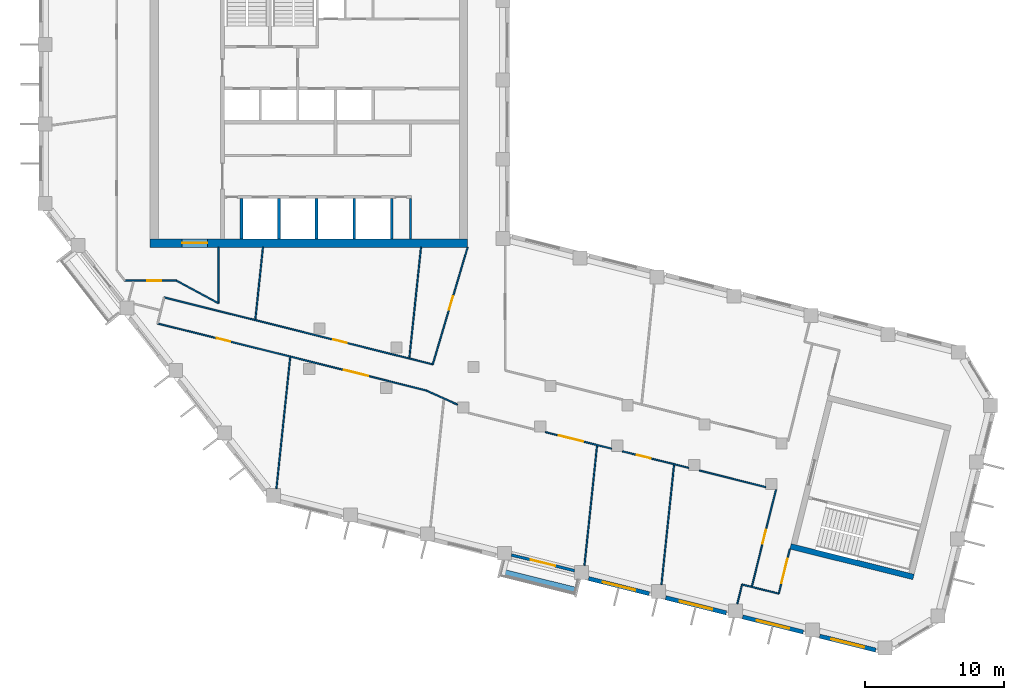
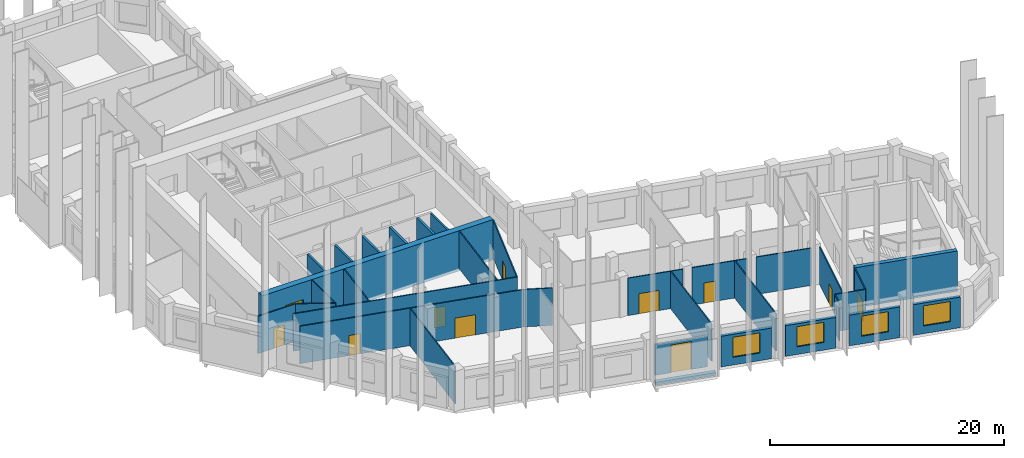
# One storey, part 3 of 9: 34 walls, 11 doors, 4 windows, 15 openings.
"""IFC4 building model written with IfcOpenShell, lengths in metres."""

import ifcopenshell
import ifcopenshell.guid

model = None  # the IFC model being written
_history = None  # IfcOwnerHistory: only IFC2X3 demands one
_inside = {}  # id of a spatial element -> (the spatial element, [elements in it])
_under = {}  # id of a project, library or spatial element -> (it, [spatial elements below it])
_declared = {}  # id of a project -> (the project, [libraries it declares])
_typed = {}  # id of a type object -> (the type object, [elements of that type])
_made_of = {}  # id of a material, layer set ... -> (it, [elements and type objects made of it])


def new_model(schema):
    """Start an empty IFC model of exactly this schema.

    Asked for "IFC4X3", IfcOpenShell would pick the latest addendum, in which some entities
    have other attributes; the version numbers below select the first issue.
    IFC2X3 requires an IfcOwnerHistory on every rooted entity: one is made here for all.
    """
    global model, _history
    if schema == "IFC4X3":
        model = ifcopenshell.file(schema_version=(4, 3, 0, 0))
    else:
        model = ifcopenshell.file(schema=schema)
    _inside.clear()
    _under.clear()
    _declared.clear()
    _typed.clear()
    _made_of.clear()
    _history = None
    if model.schema == "IFC2X3":
        org = make("IfcOrganization", Name="unknown")
        user = make(
            "IfcPersonAndOrganization",
            ThePerson=make("IfcPerson", FamilyName="unknown"),
            TheOrganization=org,
        )
        app = make(
            "IfcApplication",
            ApplicationDeveloper=org,
            Version="unknown",
            ApplicationFullName="unknown",
            ApplicationIdentifier="unknown",
        )
        _history = make(
            "IfcOwnerHistory",
            OwningUser=user,
            OwningApplication=app,
            ChangeAction="ADDED",
            CreationDate=0,
        )
    return model


def make(cls, **values):
    """One entity of the class cls with the attributes given. An attribute that is None is left unset."""
    return model.create_entity(
        cls, **{name: value for name, value in values.items() if value is not None}
    )


def rooted(cls, **values):
    """An entity with a GlobalId (a new one), such as an element, a storey or a relation."""
    return make(cls, GlobalId=ifcopenshell.guid.new(), OwnerHistory=_history, **values)


def si_unit(unit_type, name, prefix=None):
    """IfcSIUnit, for example si_unit("LENGTHUNIT", "METRE", prefix="MILLI")."""
    return make("IfcSIUnit", UnitType=unit_type, Prefix=prefix, Name=name)


def assignment(units):
    """IfcUnitAssignment: the units of a project."""
    return None if units is None else make("IfcUnitAssignment", Units=units)


def point(xyz):
    """IfcCartesianPoint."""
    return None if xyz is None else make("IfcCartesianPoint", Coordinates=xyz)


def direction(xyz):
    """IfcDirection."""
    return None if xyz is None else make("IfcDirection", DirectionRatios=xyz)


def frame(location, z_axis=None, x_axis=None):
    """IfcAxis2Placement3D, a coordinate frame: its origin and axes. An axis left out is left unset."""
    return make(
        "IfcAxis2Placement3D",
        Location=point(location),
        Axis=direction(z_axis),
        RefDirection=direction(x_axis),
    )


def frame_2d(location, x_axis=None):
    """IfcAxis2Placement2D, a coordinate frame in the plane: its origin and x axis."""
    return make(
        "IfcAxis2Placement2D", Location=point(location), RefDirection=direction(x_axis)
    )


def origin():
    """The frame at (0, 0, 0) with its axes left unset."""
    return frame((0.0, 0.0, 0.0))


def place(relative_to, where):
    """IfcLocalPlacement: puts the frame where relative to a parent placement (None: the world)."""
    return make(
        "IfcLocalPlacement", PlacementRelTo=relative_to, RelativePlacement=where
    )


def context(
    kind, dimensions, precision=None, world=None, true_north=None, identifier=None
):
    """IfcGeometricRepresentationContext, for example the 3D "Model" context."""
    return make(
        "IfcGeometricRepresentationContext",
        ContextIdentifier=identifier,
        ContextType=kind,
        CoordinateSpaceDimension=dimensions,
        Precision=precision,
        WorldCoordinateSystem=world,
        TrueNorth=true_north,
    )


def subcontext(parent, identifier, kind, view, scale=None):
    """IfcGeometricRepresentationSubContext, for example "Body" below "Model"."""
    return make(
        "IfcGeometricRepresentationSubContext",
        ContextIdentifier=identifier,
        ContextType=kind,
        ParentContext=parent,
        TargetScale=scale,
        TargetView=view,
    )


def project(units=None, contexts=None):
    """IfcProject with its units and contexts."""
    return rooted(
        "IfcProject",
        Name="project",
        RepresentationContexts=contexts,
        UnitsInContext=assignment(units),
    )


def spatial(cls, under=None, at=None, **own):
    """A site, building, storey or space (cls), placed at a placement, below another one or the project."""
    s = rooted(cls, ObjectPlacement=at, **own)
    if under is not None:
        _under.setdefault(under.id(), (under, []))[1].append(s)
    return s


def profile(cls, at=None, kind="AREA", **sizes):
    """A parametric profile (cls). Its sizes go by their IFC names, for example OverallWidth=200.0."""
    return make(cls, ProfileType=kind, Position=at, **sizes)


def rectangle(**sizes):
    """IfcRectangleProfileDef."""
    return profile("IfcRectangleProfileDef", **sizes)


def extrude(swept, where, along, depth):
    """IfcExtrudedAreaSolid: the profile swept, set in the frame where, extruded along a direction by depth."""
    return make(
        "IfcExtrudedAreaSolid",
        SweptArea=swept,
        Position=where,
        ExtrudedDirection=direction(along),
        Depth=depth,
    )


def shape(context_of_items, identifier, shape_type, items):
    """IfcShapeRepresentation: the items that make up one representation, for example the "Body"."""
    return make(
        "IfcShapeRepresentation",
        ContextOfItems=context_of_items,
        RepresentationIdentifier=identifier,
        RepresentationType=shape_type,
        Items=items,
    )


def material(Name=None, Category=None):
    """IfcMaterial."""
    return make("IfcMaterial", Name=Name, Category=Category)


def layer(
    of_material, thickness, ventilated=None, Name=None, Category=None, Priority=None
):
    """IfcMaterialLayer: one layer of a wall or slab, of a material (None: an air gap)."""
    return make(
        "IfcMaterialLayer",
        Material=of_material,
        LayerThickness=thickness,
        IsVentilated=ventilated,
        Name=Name,
        Category=Category,
        Priority=Priority,
    )


def layer_set(layers, Name=None):
    """IfcMaterialLayerSet."""
    return make("IfcMaterialLayerSet", MaterialLayers=layers, LayerSetName=Name)


def made_of(thing, what):
    """Note that an element or type object is made of a material, layer set ...; save() writes the relation."""
    if what is not None:
        _made_of.setdefault(what.id(), (what, []))[1].append(thing)
    return thing


def type_object(cls, material=None, **own):
    """A type object (cls), such as IfcWallType, which elements share."""
    return made_of(rooted(cls, **own), material)


def element(
    cls,
    number,
    at=None,
    inside=None,
    cuts=None,
    type_object=None,
    material=None,
    context=None,
    identifier="Body",
    shape_type=None,
    held_by="IfcProductDefinitionShape",
    body=None,
    shapes=None,
    **own,
):
    """One element of the class cls, such as IfcWall. Its Tag is "e" and its number.

    at: its placement. inside: the storey or other place that contains it. cuts: it is an
    opening in that element (IfcRelVoidsElement). A single representation is given by context,
    identifier, shape_type and body (its items); several are given by shapes. held_by: the class
    of the entity that holds the representations. save() writes the other relations.
    """
    e = rooted(cls, Tag="e%d" % number, ObjectPlacement=at, **own)
    if body is not None:
        shapes = [shape(context, identifier, shape_type, body)]
    if shapes is not None:
        e.Representation = make(held_by, Representations=shapes)
    if inside is not None:
        _inside.setdefault(inside.id(), (inside, []))[1].append(e)
    if cuts is not None:
        rooted(
            "IfcRelVoidsElement", RelatingBuildingElement=cuts, RelatedOpeningElement=e
        )
    if type_object is not None:
        _typed.setdefault(type_object.id(), (type_object, []))[1].append(e)
    return made_of(e, material)


def fill(opening, filler):
    """IfcRelFillsElement: the door or window that sits in an opening."""
    return rooted(
        "IfcRelFillsElement",
        RelatingOpeningElement=opening,
        RelatedBuildingElement=filler,
    )


def aggregate(whole, parts):
    """IfcRelAggregates: a whole, such as a stair, and the parts it consists of."""
    return rooted("IfcRelAggregates", RelatingObject=whole, RelatedObjects=parts)


def save(model, path):
    """Write the relations noted so far, then the file.

    IfcRelAggregates (storeys below a building ...), IfcRelContainedInSpatialStructure (elements
    in a storey), IfcRelDefinesByType, IfcRelAssociatesMaterial and IfcRelDeclares: one each for
    every whole, place, type object, material and project.
    """
    for whole, parts in _under.values():
        aggregate(whole, parts)
    for where, things in _inside.values():
        rooted(
            "IfcRelContainedInSpatialStructure",
            RelatedElements=things,
            RelatingStructure=where,
        )
    for kind, things in _typed.values():
        rooted("IfcRelDefinesByType", RelatedObjects=things, RelatingType=kind)
    for what, things in _made_of.values():
        rooted("IfcRelAssociatesMaterial", RelatedObjects=things, RelatingMaterial=what)
    for by, libraries in _declared.values():
        rooted("IfcRelDeclares", RelatingContext=by, RelatedDefinitions=libraries)
    model.write(path)


model = new_model("IFC4")

# Units and contexts
model_context = context("Model", 3, precision=1e-05, world=origin(), true_north=direction((0.0, 1.0)))
body_context = subcontext(model_context, "Body", "Model", "MODEL_VIEW")
ifc_project = project(units=[si_unit("LENGTHUNIT", "METRE"), si_unit("AREAUNIT", "SQUARE_METRE"), si_unit("VOLUMEUNIT", "CUBIC_METRE"), si_unit("PLANEANGLEUNIT", "RADIAN"), si_unit("MASSUNIT", "GRAM", prefix="KILO")], contexts=[model_context])

# Site, building, storey
site_placement = place(None, origin())
site = spatial("IfcSite", under=ifc_project, at=site_placement, CompositionType="ELEMENT")
building_placement = place(site_placement, origin())
building = spatial("IfcBuilding", under=site, at=building_placement, Name="Meshkara Civic Tower", CompositionType="ELEMENT")
storey_placement = place(building_placement, frame((0.0, 0.0, 323.39990234375)))
storey = spatial("IfcBuildingStorey", under=building, at=storey_placement, Name="L74", CompositionType="ELEMENT", Elevation=323.39990234375)

# Wall
ifc_material_1 = material(Name="Blockwork", Category="masonry")
ifc_layer_1 = layer(ifc_material_1, 0.14990234375)
ifc_layer_set_1 = layer_set([ifc_layer_1], Name="Core partition 150")
wall_type_1 = type_object("IfcWallType", Name="Core partition 150", PredefinedType="PARTITIONING", material=ifc_layer_set_1)
wall_1_placement = place(storey_placement, frame((26.699951171875, 14.699951171875, 0.0), z_axis=(0.0, 0.0, 1.0), x_axis=(0.0, 1.0, 0.0)))
element("IfcWall", 1, at=wall_1_placement, inside=storey, type_object=wall_type_1, Name="L74-C025", PredefinedType="PARTITIONING", context=body_context, shape_type="SweptSolid", body=[
    extrude(rectangle(XDim=2.900146484375, YDim=0.14990234375, at=frame_2d((1.4501953125, 0.0))), origin(), (0.0, 0.0, 1.0), 3.900146484375),
])

# Wall, opening, door
ifc_material_2 = material(Name="Concrete C60", Category="concrete")
ifc_layer_2 = layer(ifc_material_2, 0.60009765625)
ifc_layer_set_2 = layer_set([ifc_layer_2], Name="Core ring wall 600 C60")
wall_type_2 = type_object("IfcWallType", Name="Core ring wall 600 C60", PredefinedType="SHEAR", material=ifc_layer_set_2)
wall_2_placement = place(storey_placement, frame((8.0, 14.39990234375, -0.2998046875), z_axis=(0.0, 0.0, 1.0), x_axis=(1.0, 0.0, 0.0)))
wall_2 = element("IfcWall", 2, at=wall_2_placement, inside=storey, type_object=wall_type_2, Name="L74-C001", PredefinedType="SHEAR", context=body_context, shape_type="SweptSolid", body=[
    extrude(rectangle(XDim=22.800048828125, YDim=0.60009765625, at=frame_2d((11.39990234375, 0.0))), origin(), (0.0, 0.0, 1.0), 4.199951171875),
])
opening_1_placement = place(wall_2_placement, frame((2.300048828125, 0.0, 0.300048828125)))
opening_1 = element("IfcOpeningElement", 3, at=opening_1_placement, cuts=wall_2, Name="Opening L74-K023", PredefinedType="OPENING", context=body_context, shape_type="SweptSolid", body=[
    extrude(rectangle(XDim=1.800048828125, YDim=2.10009765625, at=frame_2d((0.89990234375, 1.050048828125))), frame((0.0, 0.31005859375, 0.0), z_axis=(0.0, -1.0, 0.0), x_axis=(1.0, 0.0, 0.0)), (0.0, 0.0, 1.0), 0.6201171875),
])
ifc_material_3 = material(Name="Fire-rated door leaf in steel frame", Category="steel")
door_type_1 = type_object("IfcDoorType", Name="Core double door 1800 EI 60", OperationType="DOUBLE_DOOR_SINGLE_SWING", PredefinedType="DOOR", material=ifc_material_3)
door_1_placement = place(opening_1_placement, origin())
door_1 = element("IfcDoor", 4, at=door_1_placement, inside=storey, type_object=door_type_1, Name="L74-K023", OperationType="DOUBLE_DOOR_SINGLE_SWING", OverallHeight=2.10009765625, OverallWidth=1.800048828125, PredefinedType="DOOR", context=body_context, shape_type="SweptSolid", body=[
    extrude(rectangle(XDim=1.800048828125, YDim=2.10009765625, at=frame_2d((0.89990234375, 1.050048828125))), frame((0.0, 0.02490234375, 0.0), z_axis=(0.0, -1.0, 0.0), x_axis=(1.0, 0.0, 0.0)), (0.0, 0.0, 1.0), 0.050048828125),
])
fill(opening_1, door_1)

ifc_material_4 = material(Name="Corridor wall 100")
ifc_layer_3 = layer(ifc_material_4, 0.10009765625)
ifc_layer_set_3 = layer_set([ifc_layer_3], Name="Corridor wall 100")
wall_type_3 = type_object("IfcWallType", Name="Corridor wall 100", PredefinedType="PARTITIONING", material=ifc_layer_set_3)
wall_3_placement = place(storey_placement, frame((6.18603515625, 11.699951171875, 0.0), z_axis=(0.0, 0.0, 1.0), x_axis=(1.0, 0.0, 0.0)))
wall_3 = element("IfcWall", 5, at=wall_3_placement, inside=storey, type_object=wall_type_3, Name="L74-W006", PredefinedType="PARTITIONING", context=body_context, shape_type="SweptSolid", body=[
    extrude(rectangle(XDim=3.7138671875, YDim=0.10009765625, at=frame_2d((1.85693359375, 0.0))), origin(), (0.0, 0.0, 1.0), 3.900146484375),
])
opening_2_placement = place(wall_3_placement, frame((1.591064453125, 0.0, 0.0)))
opening_2 = element("IfcOpeningElement", 6, at=opening_2_placement, cuts=wall_3, Name="Opening L74-D008", PredefinedType="OPENING", context=body_context, shape_type="SweptSolid", body=[
    extrude(rectangle(XDim=1.0, YDim=2.10009765625, at=frame_2d((0.5, 1.050048828125))), frame((0.0, 0.06005859375, 0.0), z_axis=(0.0, -1.0, 0.0), x_axis=(1.0, 0.0, 0.0)), (0.0, 0.0, 1.0), 0.1201171875),
])
ifc_material_5 = material(Name="Door 1000 x 2100")
door_type_2 = type_object("IfcDoorType", Name="Door 1000 x 2100", OperationType="SINGLE_SWING_LEFT", PredefinedType="DOOR", material=ifc_material_5)
door_2_placement = place(opening_2_placement, origin())
door_2 = element("IfcDoor", 7, at=door_2_placement, inside=storey, type_object=door_type_2, Name="L74-D008", OperationType="SINGLE_SWING_RIGHT", OverallHeight=2.10009765625, OverallWidth=1.0, PredefinedType="DOOR", context=body_context, shape_type="SweptSolid", body=[
    extrude(rectangle(XDim=1.0, YDim=2.10009765625, at=frame_2d((0.5, 1.050048828125))), frame((0.0, 0.02490234375, 0.0), z_axis=(0.0, -1.0, 0.0), x_axis=(1.0, 0.0, 0.0)), (0.0, 0.0, 1.0), 0.050048828125),
])
fill(opening_2, door_2)

# Wall, openings, doors
wall_4_placement = place(storey_placement, frame((8.534912109375, 8.6259765625, 0.0), z_axis=(0.0, 0.0, 1.0), x_axis=(0.970298340477, -0.241911410372, 0.0)))
wall_4 = element("IfcWall", 8, at=wall_4_placement, inside=storey, type_object=wall_type_3, Name="L74-W007", PredefinedType="PARTITIONING", context=body_context, shape_type="SweptSolid", body=[
    extrude(rectangle(XDim=19.879638671875, YDim=0.10009765625, at=frame_2d((9.93994140625, 0.0))), origin(), (0.0, 0.0, 1.0), 3.900146484375),
])
opening_3_placement = place(wall_4_placement, frame((13.799072265625, 0.0, 0.0)))
opening_3 = element("IfcOpeningElement", 9, at=opening_3_placement, cuts=wall_4, Name="Opening L74-D004", PredefinedType="OPENING", context=body_context, shape_type="SweptSolid", body=[
    extrude(rectangle(XDim=1.800048828125, YDim=2.10009765625, at=frame_2d((0.89990234375, 1.050048828125))), frame((0.0, 0.06005859375, 0.0), z_axis=(0.0, -1.0, 0.0), x_axis=(1.0, 0.0, 0.0)), (0.0, 0.0, 1.0), 0.1201171875),
])
opening_4_placement = place(wall_4_placement, frame((4.3798828125, 0.0, 0.0)))
opening_4 = element("IfcOpeningElement", 10, at=opening_4_placement, cuts=wall_4, Name="Opening L74-D009", PredefinedType="OPENING", context=body_context, shape_type="SweptSolid", body=[
    extrude(rectangle(XDim=1.0, YDim=2.10009765625, at=frame_2d((0.5, 1.050048828125))), frame((0.0, 0.06005859375, 0.0), z_axis=(0.0, -1.0, 0.0), x_axis=(1.0, 0.0, 0.0)), (0.0, 0.0, 1.0), 0.1201171875),
])
door_3_placement = place(opening_4_placement, origin())
door_3 = element("IfcDoor", 11, at=door_3_placement, inside=storey, type_object=door_type_2, Name="L74-D009", OperationType="SINGLE_SWING_RIGHT", OverallHeight=2.10009765625, OverallWidth=1.0, PredefinedType="DOOR", context=body_context, shape_type="SweptSolid", body=[
    extrude(rectangle(XDim=1.0, YDim=2.10009765625, at=frame_2d((0.5, 1.050048828125))), frame((0.0, 0.02490234375, 0.0), z_axis=(0.0, -1.0, 0.0), x_axis=(1.0, 0.0, 0.0)), (0.0, 0.0, 1.0), 0.050048828125),
])
fill(opening_4, door_3)
ifc_material_6 = material(Name="Door pair 1800 x 2100")
door_type_3 = type_object("IfcDoorType", Name="Door pair 1800 x 2100", OperationType="SINGLE_SWING_LEFT", PredefinedType="DOOR", material=ifc_material_6)
door_4_placement = place(opening_3_placement, origin())
door_4 = element("IfcDoor", 12, at=door_4_placement, inside=storey, type_object=door_type_3, Name="L74-D004", OperationType="DOUBLE_DOOR_SINGLE_SWING", OverallHeight=2.10009765625, OverallWidth=1.800048828125, PredefinedType="DOOR", context=body_context, shape_type="SweptSolid", body=[
    extrude(rectangle(XDim=1.800048828125, YDim=2.10009765625, at=frame_2d((0.89990234375, 1.050048828125))), frame((0.0, 0.02490234375, 0.0), z_axis=(0.0, -1.0, 0.0), x_axis=(1.0, 0.0, 0.0)), (0.0, 0.0, 1.0), 0.050048828125),
])
fill(opening_3, door_4)

# Wall, opening, door
wall_5_placement = place(storey_placement, frame((9.001953125, 10.4990234375, 0.0), z_axis=(0.0, 0.0, 1.0), x_axis=(0.970298340477, -0.241911410372, 0.0)))
wall_5 = element("IfcWall", 13, at=wall_5_placement, inside=storey, type_object=wall_type_3, Name="L74-W008", PredefinedType="PARTITIONING", context=body_context, shape_type="SweptSolid", body=[
    extrude(rectangle(XDim=19.879638671875, YDim=0.10009765625, at=frame_2d((9.93994140625, 0.0))), origin(), (0.0, 0.0, 1.0), 3.900146484375),
])
opening_5_placement = place(wall_5_placement, frame((12.51806640625, 0.0, 0.0)))
opening_5 = element("IfcOpeningElement", 14, at=opening_5_placement, cuts=wall_5, Name="Opening L74-D010", PredefinedType="OPENING", context=body_context, shape_type="SweptSolid", body=[
    extrude(rectangle(XDim=1.0, YDim=2.10009765625, at=frame_2d((0.5, 1.050048828125))), frame((0.0, 0.06005859375, 0.0), z_axis=(0.0, -1.0, 0.0), x_axis=(1.0, 0.0, 0.0)), (0.0, 0.0, 1.0), 0.1201171875),
])
door_5_placement = place(opening_5_placement, origin())
door_5 = element("IfcDoor", 15, at=door_5_placement, inside=storey, type_object=door_type_2, Name="L74-D010", OperationType="SINGLE_SWING_RIGHT", OverallHeight=2.10009765625, OverallWidth=1.0, PredefinedType="DOOR", context=body_context, shape_type="SweptSolid", body=[
    extrude(rectangle(XDim=1.0, YDim=2.10009765625, at=frame_2d((0.5, 1.050048828125))), frame((0.0, 0.02490234375, 0.0), z_axis=(0.0, -1.0, 0.0), x_axis=(1.0, 0.0, 0.0)), (0.0, 0.0, 1.0), 0.050048828125),
])
fill(opening_5, door_5)

# Walls
wall_6_placement = place(storey_placement, frame((9.89990234375, 11.699951171875, 0.0), z_axis=(0.0, 0.0, 1.0), x_axis=(0.87965147249, -0.475618846291, 0.0)))
element("IfcWall", 16, at=wall_6_placement, inside=storey, type_object=wall_type_3, Name="L74-W010", PredefinedType="PARTITIONING", context=body_context, shape_type="SweptSolid", body=[
    extrude(rectangle(XDim=3.410400390625, YDim=0.10009765625, at=frame_2d((1.705078125, 0.0))), origin(), (0.0, 0.0, 1.0), 3.900146484375),
])
wall_7_placement = place(storey_placement, frame((12.89990234375, 10.077880859375, 0.0), z_axis=(0.0, 0.0, 1.0), x_axis=(0.0, 1.0, 0.0)))
element("IfcWall", 17, at=wall_7_placement, inside=storey, type_object=wall_type_3, Name="L74-W015", PredefinedType="PARTITIONING", context=body_context, shape_type="SweptSolid", body=[
    extrude(rectangle(XDim=4.022216796875, YDim=0.10009765625, at=frame_2d((2.01123046875, 0.0))), origin(), (0.0, 0.0, 1.0), 3.900146484375),
])
wall_8_placement = place(storey_placement, frame((27.823974609375, 3.81689453125, 0.0), z_axis=(0.0, 0.0, 1.0), x_axis=(0.910793734201, -0.41286168839, 0.0)))
element("IfcWall", 18, at=wall_8_placement, inside=storey, type_object=wall_type_3, Name="L74-W018", PredefinedType="PARTITIONING", context=body_context, shape_type="SweptSolid", body=[
    extrude(rectangle(XDim=2.482421875, YDim=0.10009765625, at=frame_2d((1.2412109375, 0.0))), origin(), (0.0, 0.0, 1.0), 3.900146484375),
])

# Wall, opening, door
wall_9_placement = place(storey_placement, frame((30.800048828125, 14.10009765625, 0.0), z_axis=(0.0, 0.0, 1.0), x_axis=(-0.28588265334, -0.958264633867, 0.0)))
wall_9 = element("IfcWall", 19, at=wall_9_placement, inside=storey, type_object=wall_type_3, Name="L74-W019", PredefinedType="PARTITIONING", context=body_context, shape_type="SweptSolid", body=[
    extrude(rectangle(XDim=8.7763671875, YDim=0.10009765625, at=frame_2d((4.38818359375, 0.0))), origin(), (0.0, 0.0, 1.0), 3.900146484375),
])
opening_6_placement = place(wall_9_placement, frame((3.679931640625, 0.0, 0.0)))
opening_6 = element("IfcOpeningElement", 20, at=opening_6_placement, cuts=wall_9, Name="Opening L74-D011", PredefinedType="OPENING", context=body_context, shape_type="SweptSolid", body=[
    extrude(rectangle(XDim=1.0, YDim=2.10009765625, at=frame_2d((0.5, 1.050048828125))), frame((0.0, 0.06005859375, 0.0), z_axis=(0.0, -1.0, 0.0), x_axis=(1.0, 0.0, 0.0)), (0.0, 0.0, 1.0), 0.1201171875),
])
door_6_placement = place(opening_6_placement, origin())
door_6 = element("IfcDoor", 21, at=door_6_placement, inside=storey, type_object=door_type_2, Name="L74-D011", OperationType="SINGLE_SWING_RIGHT", OverallHeight=2.10009765625, OverallWidth=1.0, PredefinedType="DOOR", context=body_context, shape_type="SweptSolid", body=[
    extrude(rectangle(XDim=1.0, YDim=2.10009765625, at=frame_2d((0.5, 1.050048828125))), frame((0.0, 0.02490234375, 0.0), z_axis=(0.0, -1.0, 0.0), x_axis=(1.0, 0.0, 0.0)), (0.0, 0.0, 1.0), 0.050048828125),
])
fill(opening_6, door_6)

wall_10_placement = place(storey_placement, frame((36.382080078125, 0.822998046875, 0.0), z_axis=(0.0, 0.0, 1.0), x_axis=(0.970285656006, -0.241962281665, 0.0)))
wall_10 = element("IfcWall", 22, at=wall_10_placement, inside=storey, type_object=wall_type_3, Name="L74-W023", PredefinedType="PARTITIONING", context=body_context, shape_type="SweptSolid", body=[
    extrude(rectangle(XDim=4.909912109375, YDim=0.10009765625, at=frame_2d((2.455078125, 0.0))), origin(), (0.0, 0.0, 1.0), 3.900146484375),
])
opening_7_placement = place(wall_10_placement, frame((0.97998046875, 0.0, 0.0)))
opening_7 = element("IfcOpeningElement", 23, at=opening_7_placement, cuts=wall_10, Name="Opening L74-D005", PredefinedType="OPENING", context=body_context, shape_type="SweptSolid", body=[
    extrude(rectangle(XDim=1.800048828125, YDim=2.10009765625, at=frame_2d((0.89990234375, 1.050048828125))), frame((0.0, 0.06005859375, 0.0), z_axis=(0.0, -1.0, 0.0), x_axis=(1.0, 0.0, 0.0)), (0.0, 0.0, 1.0), 0.1201171875),
])
door_7_placement = place(opening_7_placement, origin())
door_7 = element("IfcDoor", 24, at=door_7_placement, inside=storey, type_object=door_type_3, Name="L74-D005", OperationType="DOUBLE_DOOR_SINGLE_SWING", OverallHeight=2.10009765625, OverallWidth=1.800048828125, PredefinedType="DOOR", context=body_context, shape_type="SweptSolid", body=[
    extrude(rectangle(XDim=1.800048828125, YDim=2.10009765625, at=frame_2d((0.89990234375, 1.050048828125))), frame((0.0, 0.02490234375, 0.0), z_axis=(0.0, -1.0, 0.0), x_axis=(1.0, 0.0, 0.0)), (0.0, 0.0, 1.0), 0.050048828125),
])
fill(opening_7, door_7)

wall_11_placement = place(storey_placement, frame((41.9140625, -0.555908203125, 0.0), z_axis=(0.0, 0.0, 1.0), x_axis=(0.970274007865, -0.242008986738, 0.0)))
wall_11 = element("IfcWall", 25, at=wall_11_placement, inside=storey, type_object=wall_type_3, Name="L74-W025", PredefinedType="PARTITIONING", context=body_context, shape_type="SweptSolid", body=[
    extrude(rectangle(XDim=4.908935546875, YDim=0.10009765625, at=frame_2d((2.45458984375, 0.0))), origin(), (0.0, 0.0, 1.0), 3.900146484375),
])
opening_8_placement = place(wall_11_placement, frame((1.080078125, 0.0, 0.0)))
opening_8 = element("IfcOpeningElement", 26, at=opening_8_placement, cuts=wall_11, Name="Opening L74-D003", PredefinedType="OPENING", context=body_context, shape_type="SweptSolid", body=[
    extrude(rectangle(XDim=1.0, YDim=2.10009765625, at=frame_2d((0.5, 1.050048828125))), frame((0.0, 0.06005859375, 0.0), z_axis=(0.0, -1.0, 0.0), x_axis=(1.0, 0.0, 0.0)), (0.0, 0.0, 1.0), 0.1201171875),
])
door_8_placement = place(opening_8_placement, origin())
door_8 = element("IfcDoor", 27, at=door_8_placement, inside=storey, type_object=door_type_2, Name="L74-D003", OperationType="SINGLE_SWING_RIGHT", OverallHeight=2.10009765625, OverallWidth=1.0, PredefinedType="DOOR", context=body_context, shape_type="SweptSolid", body=[
    extrude(rectangle(XDim=1.0, YDim=2.10009765625, at=frame_2d((0.5, 1.050048828125))), frame((0.0, 0.02490234375, 0.0), z_axis=(0.0, -1.0, 0.0), x_axis=(1.0, 0.0, 0.0)), (0.0, 0.0, 1.0), 0.050048828125),
])
fill(opening_8, door_8)

# Walls
wall_12_placement = place(storey_placement, frame((47.444091796875, -1.93505859375, 0.0), z_axis=(0.0, 0.0, 1.0), x_axis=(0.970285656006, -0.241962281665, 0.0)))
element("IfcWall", 28, at=wall_12_placement, inside=storey, type_object=wall_type_3, Name="L74-W028", PredefinedType="PARTITIONING", context=body_context, shape_type="SweptSolid", body=[
    extrude(rectangle(XDim=4.909912109375, YDim=0.10009765625, at=frame_2d((2.455078125, 0.0))), origin(), (0.0, 0.0, 1.0), 3.900146484375),
])
wall_13_placement = place(storey_placement, frame((51.200927734375, -10.2919921875, 0.0), z_axis=(0.0, 0.0, 1.0), x_axis=(0.970307382734, -0.241875139301, 0.0)))
element("IfcWall", 29, at=wall_13_placement, inside=storey, type_object=wall_type_3, Name="L74-W029", PredefinedType="PARTITIONING", context=body_context, shape_type="SweptSolid", body=[
    extrude(rectangle(XDim=2.00048828125, YDim=0.10009765625, at=frame_2d((1.000244140625, 0.0))), origin(), (0.0, 0.0, 1.0), 3.900146484375),
])

# Wall, opening, door
wall_14_placement = place(storey_placement, frame((52.94091796875, -3.31396484375, 0.0), z_axis=(0.0, 0.0, 1.0), x_axis=(-0.241944492524, -0.97029009195, 0.0)))
wall_14 = element("IfcWall", 30, at=wall_14_placement, inside=storey, type_object=wall_type_3, Name="L74-W030", PredefinedType="PARTITIONING", context=body_context, shape_type="SweptSolid", body=[
    extrude(rectangle(XDim=7.191650390625, YDim=0.10009765625, at=frame_2d((3.595703125, 0.0))), origin(), (0.0, 0.0, 1.0), 3.900146484375),
])
opening_9_placement = place(wall_14_placement, frame((2.97998046875, 0.0, 0.0)))
opening_9 = element("IfcOpeningElement", 31, at=opening_9_placement, cuts=wall_14, Name="Opening L74-D001", PredefinedType="OPENING", context=body_context, shape_type="SweptSolid", body=[
    extrude(rectangle(XDim=1.0, YDim=2.10009765625, at=frame_2d((0.5, 1.050048828125))), frame((0.0, 0.06005859375, 0.0), z_axis=(0.0, -1.0, 0.0), x_axis=(1.0, 0.0, 0.0)), (0.0, 0.0, 1.0), 0.1201171875),
])
door_9_placement = place(opening_9_placement, origin())
door_9 = element("IfcDoor", 32, at=door_9_placement, inside=storey, type_object=door_type_2, Name="L74-D001", OperationType="SINGLE_SWING_RIGHT", OverallHeight=2.10009765625, OverallWidth=1.0, PredefinedType="DOOR", context=body_context, shape_type="SweptSolid", body=[
    extrude(rectangle(XDim=1.0, YDim=2.10009765625, at=frame_2d((0.5, 1.050048828125))), frame((0.0, 0.02490234375, 0.0), z_axis=(0.0, -1.0, 0.0), x_axis=(1.0, 0.0, 0.0)), (0.0, 0.0, 1.0), 0.050048828125),
])
fill(opening_9, door_9)

wall_15_placement = place(storey_placement, frame((53.14208984375, -10.77587890625, 0.0), z_axis=(0.0, 0.0, 1.0), x_axis=(0.241786986316, 0.970329352977, 0.0)))
wall_15 = element("IfcWall", 33, at=wall_15_placement, inside=storey, type_object=wall_type_3, Name="L74-W032", PredefinedType="PARTITIONING", context=body_context, shape_type="SweptSolid", body=[
    extrude(rectangle(XDim=3.2998046875, YDim=0.10009765625, at=frame_2d((1.64990234375, 0.0))), origin(), (0.0, 0.0, 1.0), 3.900146484375),
])
opening_10_placement = place(wall_15_placement, frame((0.780029296875, 0.0, 0.0)))
opening_10 = element("IfcOpeningElement", 34, at=opening_10_placement, cuts=wall_15, Name="Opening L74-D002", PredefinedType="OPENING", context=body_context, shape_type="SweptSolid", body=[
    extrude(rectangle(XDim=1.800048828125, YDim=2.10009765625, at=frame_2d((0.89990234375, 1.050048828125))), frame((0.0, 0.06005859375, 0.0), z_axis=(0.0, -1.0, 0.0), x_axis=(1.0, 0.0, 0.0)), (0.0, 0.0, 1.0), 0.1201171875),
])
door_10_placement = place(opening_10_placement, origin())
door_10 = element("IfcDoor", 35, at=door_10_placement, inside=storey, type_object=door_type_3, Name="L74-D002", OperationType="DOUBLE_DOOR_SINGLE_SWING", OverallHeight=2.10009765625, OverallWidth=1.800048828125, PredefinedType="DOOR", context=body_context, shape_type="SweptSolid", body=[
    extrude(rectangle(XDim=1.800048828125, YDim=2.10009765625, at=frame_2d((0.89990234375, 1.050048828125))), frame((0.0, 0.02490234375, 0.0), z_axis=(0.0, -1.0, 0.0), x_axis=(1.0, 0.0, 0.0)), (0.0, 0.0, 1.0), 0.050048828125),
])
fill(opening_10, door_10)

# Wall, opening, window
ifc_material_7 = material(Name="Insulated infill panel with bronze anodised aluminium cladding", Category="aluminium")
ifc_layer_4 = layer(ifc_material_7, 0.300048828125)
ifc_layer_set_4 = layer_set([ifc_layer_4], Name="EXTERNAL INFILL WALL 300")
wall_type_4 = type_object("IfcWallType", Name="EXTERNAL INFILL WALL 300", PredefinedType="SOLIDWALL", material=ifc_layer_set_4)
wall_16_placement = place(storey_placement, frame((39.489990234375, -9.69189453125, 0.0), z_axis=(0.0, 0.0, 1.0), x_axis=(0.970302346682, -0.241895341054, 0.0)))
wall_16 = element("IfcWall", 36, at=wall_16_placement, inside=storey, type_object=wall_type_4, Name="External wall", PredefinedType="SOLIDWALL", context=body_context, shape_type="SweptSolid", body=[
    extrude(rectangle(XDim=4.486328125, YDim=0.300048828125, at=frame_2d((2.2431640625, 0.0))), origin(), (0.0, 0.0, 1.0), 3.2001953125),
])
opening_11_placement = place(wall_16_placement, frame((1.0439453125, 0.0, 0.800048828125)))
opening_11 = element("IfcOpeningElement", 37, at=opening_11_placement, cuts=wall_16, Name="Opening W7", PredefinedType="OPENING", context=body_context, shape_type="SweptSolid", body=[
    extrude(rectangle(XDim=2.39990234375, YDim=2.10009765625, at=frame_2d((1.199951171875, 1.050048828125))), frame((0.0, 0.159912109375, 0.0), z_axis=(0.0, -1.0, 0.0), x_axis=(1.0, 0.0, 0.0)), (0.0, 0.0, 1.0), 0.320068359375),
])
ifc_material_8 = material(Name="Tinted double glazing", Category="glass")
window_type = type_object("IfcWindowType", Name="WINDOW 2400x2100", PartitioningType="DOUBLE_PANEL_VERTICAL", PredefinedType="WINDOW", material=ifc_material_8)
window_1_placement = place(opening_11_placement, origin())
window_1 = element("IfcWindow", 38, at=window_1_placement, inside=storey, type_object=window_type, Name="Window", OverallHeight=2.10009765625, OverallWidth=2.39990234375, PartitioningType="DOUBLE_PANEL_VERTICAL", PredefinedType="WINDOW", context=body_context, shape_type="SweptSolid", body=[
    extrude(rectangle(XDim=2.39990234375, YDim=2.10009765625, at=frame_2d((1.199951171875, 1.050048828125))), frame((0.0, 0.030029296875, 0.0), z_axis=(0.0, -1.0, 0.0), x_axis=(1.0, 0.0, 0.0)), (0.0, 0.0, 1.0), 0.06005859375),
])
fill(opening_11, window_1)

wall_17_placement = place(storey_placement, frame((45.02001953125, -11.070068359375, 0.0), z_axis=(0.0, 0.0, 1.0), x_axis=(0.970276766004, -0.241997928406, 0.0)))
wall_17 = element("IfcWall", 39, at=wall_17_placement, inside=storey, type_object=wall_type_4, Name="External wall", PredefinedType="SOLIDWALL", context=body_context, shape_type="SweptSolid", body=[
    extrude(rectangle(XDim=4.4873046875, YDim=0.300048828125, at=frame_2d((2.24365234375, 0.0))), origin(), (0.0, 0.0, 1.0), 3.2001953125),
])
opening_12_placement = place(wall_17_placement, frame((1.0439453125, 0.0, 0.800048828125)))
opening_12 = element("IfcOpeningElement", 40, at=opening_12_placement, cuts=wall_17, Name="Opening W7", PredefinedType="OPENING", context=body_context, shape_type="SweptSolid", body=[
    extrude(rectangle(XDim=2.39990234375, YDim=2.10009765625, at=frame_2d((1.199951171875, 1.050048828125))), frame((0.0, 0.159912109375, 0.0), z_axis=(0.0, -1.0, 0.0), x_axis=(1.0, 0.0, 0.0)), (0.0, 0.0, 1.0), 0.320068359375),
])
window_2_placement = place(opening_12_placement, origin())
window_2 = element("IfcWindow", 41, at=window_2_placement, inside=storey, type_object=window_type, Name="Window", OverallHeight=2.10009765625, OverallWidth=2.39990234375, PartitioningType="DOUBLE_PANEL_VERTICAL", PredefinedType="WINDOW", context=body_context, shape_type="SweptSolid", body=[
    extrude(rectangle(XDim=2.39990234375, YDim=2.10009765625, at=frame_2d((1.199951171875, 1.050048828125))), frame((0.0, 0.030029296875, 0.0), z_axis=(0.0, -1.0, 0.0), x_axis=(1.0, 0.0, 0.0)), (0.0, 0.0, 1.0), 0.06005859375),
])
fill(opening_12, window_2)

wall_18_placement = place(storey_placement, frame((50.551025390625, -12.448974609375, 0.0), z_axis=(0.0, 0.0, 1.0), x_axis=(0.970276766004, -0.241997928406, 0.0)))
wall_18 = element("IfcWall", 42, at=wall_18_placement, inside=storey, type_object=wall_type_4, Name="External wall", PredefinedType="SOLIDWALL", context=body_context, shape_type="SweptSolid", body=[
    extrude(rectangle(XDim=4.4873046875, YDim=0.300048828125, at=frame_2d((2.24365234375, 0.0))), origin(), (0.0, 0.0, 1.0), 3.2001953125),
])
opening_13_placement = place(wall_18_placement, frame((1.0439453125, 0.0, 0.800048828125)))
opening_13 = element("IfcOpeningElement", 43, at=opening_13_placement, cuts=wall_18, Name="Opening W7", PredefinedType="OPENING", context=body_context, shape_type="SweptSolid", body=[
    extrude(rectangle(XDim=2.39990234375, YDim=2.10009765625, at=frame_2d((1.199951171875, 1.050048828125))), frame((0.0, 0.159912109375, 0.0), z_axis=(0.0, -1.0, 0.0), x_axis=(1.0, 0.0, 0.0)), (0.0, 0.0, 1.0), 0.320068359375),
])
window_3_placement = place(opening_13_placement, origin())
window_3 = element("IfcWindow", 44, at=window_3_placement, inside=storey, type_object=window_type, Name="Window", OverallHeight=2.10009765625, OverallWidth=2.39990234375, PartitioningType="DOUBLE_PANEL_VERTICAL", PredefinedType="WINDOW", context=body_context, shape_type="SweptSolid", body=[
    extrude(rectangle(XDim=2.39990234375, YDim=2.10009765625, at=frame_2d((1.199951171875, 1.050048828125))), frame((0.0, 0.030029296875, 0.0), z_axis=(0.0, -1.0, 0.0), x_axis=(1.0, 0.0, 0.0)), (0.0, 0.0, 1.0), 0.06005859375),
])
fill(opening_13, window_3)

wall_19_placement = place(storey_placement, frame((56.0810546875, -13.827880859375, 0.0), z_axis=(0.0, 0.0, 1.0), x_axis=(0.970246294139, -0.242120070853, 0.0)))
wall_19 = element("IfcWall", 45, at=wall_19_placement, inside=storey, type_object=wall_type_4, Name="External wall", PredefinedType="SOLIDWALL", context=body_context, shape_type="SweptSolid", body=[
    extrude(rectangle(XDim=4.147216796875, YDim=0.300048828125, at=frame_2d((2.07373046875, 0.0))), origin(), (0.0, 0.0, 1.0), 3.2001953125),
])
opening_14_placement = place(wall_19_placement, frame((0.8740234375, 0.0, 0.800048828125)))
opening_14 = element("IfcOpeningElement", 46, at=opening_14_placement, cuts=wall_19, Name="Opening W7", PredefinedType="OPENING", context=body_context, shape_type="SweptSolid", body=[
    extrude(rectangle(XDim=2.39990234375, YDim=2.10009765625, at=frame_2d((1.199951171875, 1.050048828125))), frame((0.0, 0.159912109375, 0.0), z_axis=(0.0, -1.0, 0.0), x_axis=(1.0, 0.0, 0.0)), (0.0, 0.0, 1.0), 0.320068359375),
])
window_4_placement = place(opening_14_placement, origin())
window_4 = element("IfcWindow", 47, at=window_4_placement, inside=storey, type_object=window_type, Name="Window", OverallHeight=2.10009765625, OverallWidth=2.39990234375, PartitioningType="DOUBLE_PANEL_VERTICAL", PredefinedType="WINDOW", context=body_context, shape_type="SweptSolid", body=[
    extrude(rectangle(XDim=2.39990234375, YDim=2.10009765625, at=frame_2d((1.199951171875, 1.050048828125))), frame((0.0, 0.030029296875, 0.0), z_axis=(0.0, -1.0, 0.0), x_axis=(1.0, 0.0, 0.0)), (0.0, 0.0, 1.0), 0.06005859375),
])
fill(opening_14, window_4)

# Wall
ifc_material_9 = material(Name="Concrete C60", Category="concrete")
ifc_layer_5 = layer(ifc_material_9, 0.39990234375)
ifc_layer_set_5 = layer_set([ifc_layer_5], Name="End core ring wall 400 C60")
wall_type_5 = type_object("IfcWallType", Name="End core ring wall 400 C60", PredefinedType="SHEAR", material=ifc_layer_set_5)
wall_20_placement = place(storey_placement, frame((53.988037109375, -7.3798828125, -0.2998046875), z_axis=(0.0, 0.0, 1.0), x_axis=(0.970281210621, -0.241980107272, 0.0)))
element("IfcWall", 48, at=wall_20_placement, inside=storey, type_object=wall_type_5, Name="L74-C032", PredefinedType="SHEAR", context=body_context, shape_type="SweptSolid", body=[
    extrude(rectangle(XDim=9.1005859375, YDim=0.39990234375, at=frame_2d((4.55029296875, 0.0))), origin(), (0.0, 0.0, 1.0), 4.199951171875),
])

# Wall, opening, door
ifc_material_10 = material(Name="Insulated infill panel with bronze anodised aluminium cladding", Category="aluminium")
ifc_layer_6 = layer(ifc_material_10, 0.199951171875)
ifc_layer_set_6 = layer_set([ifc_layer_6], Name="LOGGIA BACK WALL 200")
wall_type_6 = type_object("IfcWallType", Name="LOGGIA BACK WALL 200", PredefinedType="SOLIDWALL", material=ifc_layer_set_6)
wall_21_placement = place(storey_placement, frame((33.943115234375, -8.0, 0.0), z_axis=(0.0, 0.0, 1.0), x_axis=(0.970335948358, -0.241760516472, 0.0)))
wall_21 = element("IfcWall", 49, at=wall_21_placement, inside=storey, type_object=wall_type_6, Name="Loggia wall", PredefinedType="SOLIDWALL", context=body_context, shape_type="SweptSolid", body=[
    extrude(rectangle(XDim=4.66943359375, YDim=0.199951171875, at=frame_2d((2.334716796875, 0.0))), origin(), (0.0, 0.0, 1.0), 3.2001953125),
])
opening_15_placement = place(wall_21_placement, frame((1.43408203125, 0.0, 0.0)))
opening_15 = element("IfcOpeningElement", 50, at=opening_15_placement, cuts=wall_21, Name="Opening L74-L003", PredefinedType="OPENING", context=body_context, shape_type="SweptSolid", body=[
    extrude(rectangle(XDim=1.800048828125, YDim=2.89990234375, at=frame_2d((0.89990234375, 1.449951171875))), frame((0.0, 0.10986328125, 0.0), z_axis=(0.0, -1.0, 0.0), x_axis=(1.0, 0.0, 0.0)), (0.0, 0.0, 1.0), 0.219970703125),
])
ifc_material_11 = material(Name="Tinted double glazing", Category="glass")
door_type_4 = type_object("IfcDoorType", Name="LOGGIA DOOR 1800x2900", OperationType="DOUBLE_DOOR_SINGLE_SWING", PredefinedType="DOOR", material=ifc_material_11)
door_11_placement = place(opening_15_placement, origin())
door_11 = element("IfcDoor", 51, at=door_11_placement, inside=storey, type_object=door_type_4, Name="L74-L003", OperationType="DOUBLE_DOOR_SINGLE_SWING", OverallHeight=2.89990234375, OverallWidth=1.800048828125, PredefinedType="DOOR", context=body_context, shape_type="SweptSolid", body=[
    extrude(rectangle(XDim=1.800048828125, YDim=2.89990234375, at=frame_2d((0.89990234375, 1.449951171875))), frame((0.0, 0.02490234375, 0.0), z_axis=(0.0, -1.0, 0.0), x_axis=(1.0, 0.0, 0.0)), (0.0, 0.0, 1.0), 0.050048828125),
])
fill(opening_15, door_11)

# Walls
ifc_material_12 = material(Name="Concrete C40", Category="concrete")
ifc_layer_7 = layer(ifc_material_12, 0.39990234375)
ifc_layer_set_7 = layer_set([ifc_layer_7], Name="PLANTER TRAY")
wall_type_7 = type_object("IfcWallType", Name="PLANTER TRAY", PredefinedType="SOLIDWALL", material=ifc_layer_set_7)
wall_22_placement = place(storey_placement, frame((33.285888671875, -9.2060546875, 0.0), z_axis=(0.0, 0.0, 1.0), x_axis=(0.970292345375, -0.241935455249, 0.0)))
element("IfcWall", 52, at=wall_22_placement, inside=storey, type_object=wall_type_7, Name="Planter", PredefinedType="SOLIDWALL", context=body_context, shape_type="SweptSolid", body=[
    extrude(rectangle(XDim=5.3603515625, YDim=0.39990234375, at=frame_2d((2.68017578125, 0.0))), origin(), (0.0, 0.0, 1.0), 0.300048828125),
])
ifc_material_13 = material(Name="Partition 100")
ifc_layer_8 = layer(ifc_material_13, 0.10009765625)
ifc_layer_set_8 = layer_set([ifc_layer_8], Name="Partition 100")
wall_type_8 = type_object("IfcWallType", Name="Partition 100", PredefinedType="PARTITIONING", material=ifc_layer_set_8)
wall_23_placement = place(storey_placement, frame((15.553955078125, 8.924072265625, 0.0), z_axis=(0.0, 0.0, 1.0), x_axis=(0.104513853303, 0.994523430829, 0.0)))
element("IfcWall", 53, at=wall_23_placement, inside=storey, type_object=wall_type_8, Name="L74-W043", PredefinedType="PARTITIONING", context=body_context, shape_type="SweptSolid", body=[
    extrude(rectangle(XDim=5.20458984375, YDim=0.10009765625, at=frame_2d((2.602294921875, 0.0))), origin(), (0.0, 0.0, 1.0), 3.900146484375),
])
wall_24_placement = place(storey_placement, frame((17.06494140625, -3.238037109375, 0.0), z_axis=(0.0, 0.0, 1.0), x_axis=(0.104487801341, 0.994526168269, 0.0)))
element("IfcWall", 54, at=wall_24_placement, inside=storey, type_object=wall_type_8, Name="L74-W044", PredefinedType="PARTITIONING", context=body_context, shape_type="SweptSolid", body=[
    extrude(rectangle(XDim=9.484130859375, YDim=0.10009765625, at=frame_2d((4.7421875, 0.0))), origin(), (0.0, 0.0, 1.0), 3.900146484375),
])
wall_25_placement = place(storey_placement, frame((26.614990234375, 6.166015625, 0.0), z_axis=(0.0, 0.0, 1.0), x_axis=(0.10453822663, 0.994520869149, 0.0)))
element("IfcWall", 55, at=wall_25_placement, inside=storey, type_object=wall_type_8, Name="L74-W048", PredefinedType="PARTITIONING", context=body_context, shape_type="SweptSolid", body=[
    extrude(rectangle(XDim=7.977783203125, YDim=0.10009765625, at=frame_2d((3.98876953125, 0.0))), origin(), (0.0, 0.0, 1.0), 3.900146484375),
])
for number, where, z_axis, x_axis, name in (
    (56, (39.18798828125, -8.75390625, 0.0), (0.0, 0.0, 1.0), (0.104506829378, 0.994524168944, 0.0), "L74-W050"),
    (57, (44.718017578125, -10.133056640625, 0.0), (0.0, 0.0, 1.0), (0.104506829378, 0.994524168944, 0.0), "L74-W052"),
):
    element("IfcWall", number, at=place(storey_placement, frame(where, z_axis=z_axis, x_axis=x_axis)), inside=storey, type_object=wall_type_8, Name=name, PredefinedType="PARTITIONING", context=body_context, shape_type="SweptSolid", body=[
        extrude(rectangle(XDim=8.641357421875, YDim=0.10009765625, at=frame_2d((4.32080078125, 0.0))), origin(), (0.0, 0.0, 1.0), 3.900146484375),
    ])
wall_26_placement = place(storey_placement, frame((50.159912109375, -11.511962890625, 0.0), z_axis=(0.0, 0.0, 1.0), x_axis=(0.241815333826, 0.970322288895, 0.0)))
element("IfcWall", 58, at=wall_26_placement, inside=storey, type_object=wall_type_8, Name="L74-W053", PredefinedType="PARTITIONING", context=body_context, shape_type="SweptSolid", body=[
    extrude(rectangle(XDim=1.435791015625, YDim=0.10009765625, at=frame_2d((0.7177734375, 0.0))), origin(), (0.0, 0.0, 1.0), 3.900146484375),
])
wall_27_placement = place(storey_placement, frame((50.507080078125, -10.118896484375, 0.0), z_axis=(0.0, 0.0, 1.0), x_axis=(0.970282083048, -0.241976609029, 0.0)))
element("IfcWall", 59, at=wall_27_placement, inside=storey, type_object=wall_type_8, Name="L74-W054", PredefinedType="PARTITIONING", context=body_context, shape_type="SweptSolid", body=[
    extrude(rectangle(XDim=0.719482421875, YDim=0.10009765625, at=frame_2d((0.35986328125, 0.0))), origin(), (0.0, 0.0, 1.0), 3.900146484375),
])
ifc_material_14 = material(Name="Concrete C40/50", Category="concrete")
ifc_layer_9 = layer(ifc_material_14, 0.199951171875)
ifc_layer_set_9 = layer_set([ifc_layer_9], Name="Shaft wall 200 C40/50")
wall_type_9 = type_object("IfcWallType", Name="Shaft wall 200 C40/50", PredefinedType="SOLIDWALL", material=ifc_layer_set_9)
for number, where, z_axis, x_axis, name in (
    (60, (14.550048828125, 14.699951171875, 0.0), (0.0, 0.0, 1.0), (0.0, 1.0, 0.0), "L74-C012"),
    (61, (17.25, 14.699951171875, 0.0), (0.0, 0.0, 1.0), (0.0, 1.0, 0.0), "L74-C015"),
    (62, (19.949951171875, 14.699951171875, 0.0), (0.0, 0.0, 1.0), (0.0, 1.0, 0.0), "L74-C017"),
    (63, (22.64990234375, 14.699951171875, 0.0), (0.0, 0.0, 1.0), (0.0, 1.0, 0.0), "L74-C021"),
    (64, (25.35009765625, 14.699951171875, 0.0), (0.0, 0.0, 1.0), (0.0, 1.0, 0.0), "L74-C024"),
):
    element("IfcWall", number, at=place(storey_placement, frame(where, z_axis=z_axis, x_axis=x_axis)), inside=storey, type_object=wall_type_9, Name=name, PredefinedType="SOLIDWALL", context=body_context, shape_type="SweptSolid", body=[
        extrude(rectangle(XDim=2.900146484375, YDim=0.199951171875, at=frame_2d((1.4501953125, 0.0))), origin(), (0.0, 0.0, 1.0), 3.900146484375),
    ])

save(model, "model.ifc")
